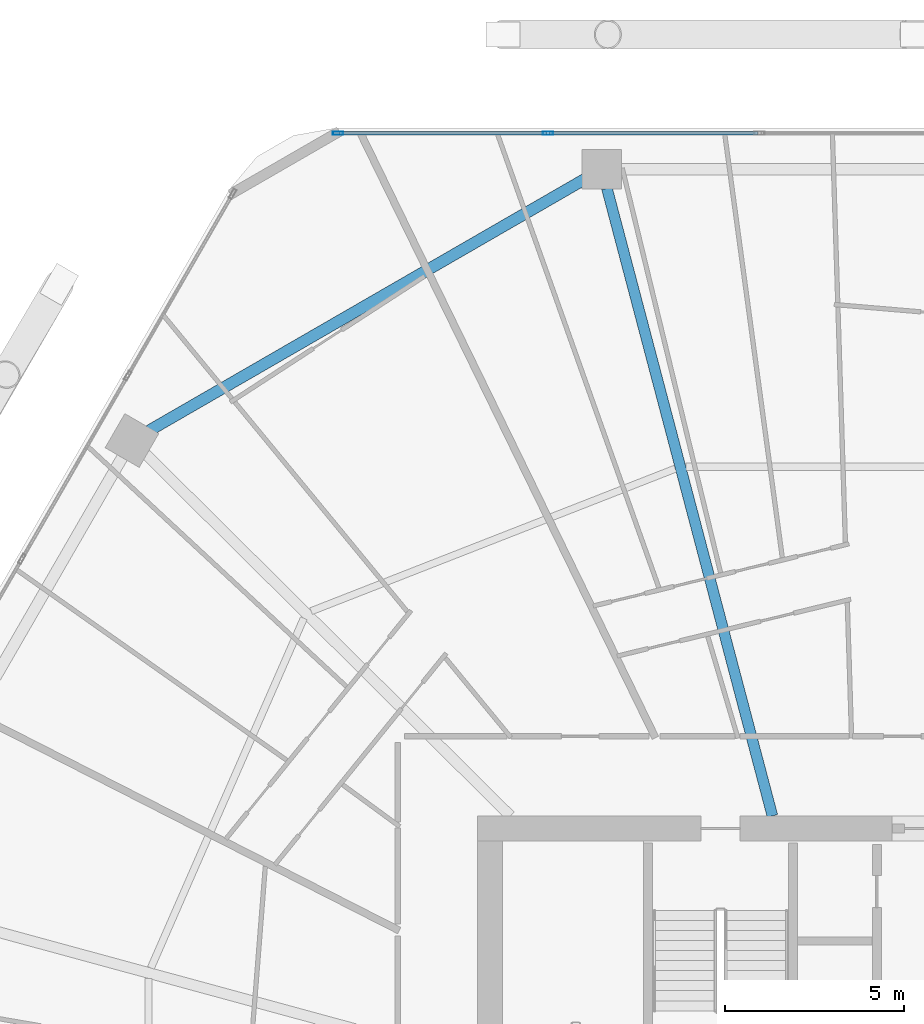
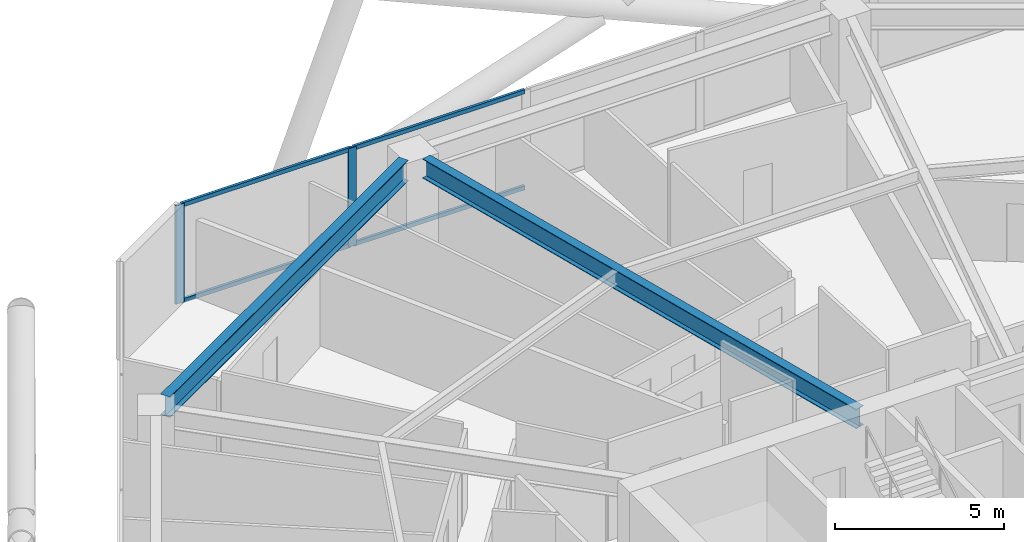
# One storey, part 17 of 35: 6 members, 2 beams, 1 element without a shape of its own.
"""IFC4 building model written with IfcOpenShell, lengths in metres."""

from ifc_helpers import new_model, si_unit, direction, frame, origin, origin_2d, place, context, subcontext, project, spatial, hollow_rectangle, i_section, extrude, material, material_profile, profile_set, type_object, element, aggregate, save


model = new_model("IFC4")

# Units and contexts
model_context = context("Model", 3, precision=1e-05, world=origin(), true_north=direction((0.0, 1.0)))
body_context = subcontext(model_context, "Body", "Model", "MODEL_VIEW")
ifc_project = project(units=[si_unit("LENGTHUNIT", "METRE"), si_unit("AREAUNIT", "SQUARE_METRE"), si_unit("VOLUMEUNIT", "CUBIC_METRE"), si_unit("PLANEANGLEUNIT", "RADIAN"), si_unit("MASSUNIT", "GRAM", prefix="KILO")], contexts=[model_context])

# Site, building, storey
site_placement = place(None, origin())
site = spatial("IfcSite", under=ifc_project, at=site_placement, CompositionType="ELEMENT")
building_placement = place(site_placement, origin())
building = spatial("IfcBuilding", under=site, at=building_placement, Name="Zuhravey Tower", CompositionType="ELEMENT")
storey_placement = place(building_placement, frame((0.0, 0.0, 122.800048828125)))
storey = spatial("IfcBuildingStorey", under=building, at=storey_placement, Name="L30", CompositionType="ELEMENT", Elevation=122.800048828125)

# Curtain wall, members
ifc_material_1 = material(Name="Thermally broken anodised aluminium", Category="aluminium")
curtain_wall_type = type_object("IfcCurtainWallType", Name="Zone 1-2 Residential Curtain Wall CW3", PredefinedType="NOTDEFINED", material=ifc_material_1)
curtain_wall_placement = place(storey_placement, origin())
curtain_wall = element("IfcCurtainWall", 1, at=curtain_wall_placement, inside=storey, type_object=curtain_wall_type, Name="L30 CW3 CW-L30-F2-1", PredefinedType="NOTDEFINED")
ifc_material_2 = material(Name="Anodised aluminium", Category="aluminium")
ifc_material_profile_1 = material_profile(ifc_material_2, hollow_rectangle(XDim=0.090087890625, YDim=0.284912109375, WallThickness=0.0048828125, at=origin_2d()), Name="ALU-RHS-90x285x5")
ifc_profile_set_1 = profile_set([ifc_material_profile_1], Name="Anodised aluminium")
member_type_1 = type_object("IfcMemberType", Name="Curtain-Wall Mullion 90x180", PredefinedType="MULLION", material=ifc_profile_set_1)
member_1_placement = place(storey_placement, frame((21.24560546875, 60.95849609375, 0.0), z_axis=(0.0, 0.0, 1.0), x_axis=(0.0, 1.0, 0.0)))
member_1 = element("IfcMember", 2, at=member_1_placement, type_object=member_type_1, Name="CW3 mullion 1", PredefinedType="MULLION", context=body_context, shape_type="SweptSolid", body=[
    extrude(hollow_rectangle(XDim=0.090087890625, YDim=0.284912109375, WallThickness=0.0048828125, at=origin_2d()), origin(), (0.0, 0.0, 1.0), 3.550048828125),
])
member_2_placement = place(storey_placement, frame((27.120361328125, 60.95849609375, 0.0), z_axis=(0.0, 0.0, 1.0), x_axis=(0.0, 1.0, 0.0)))
member_2 = element("IfcMember", 3, at=member_2_placement, type_object=member_type_1, Name="CW3 mullion 2", PredefinedType="MULLION", context=body_context, shape_type="SweptSolid", body=[
    extrude(hollow_rectangle(XDim=0.090087890625, YDim=0.284912109375, WallThickness=0.0048828125, at=origin_2d()), origin(), (0.0, 0.0, 1.0), 3.550048828125),
])
ifc_material_profile_2 = material_profile(ifc_material_2, hollow_rectangle(XDim=0.090087890625, YDim=0.14990234375, WallThickness=0.0048828125, at=origin_2d()), Name="ALU-RHS-90x150x5")
ifc_profile_set_2 = profile_set([ifc_material_profile_2], Name="Anodised aluminium")
member_type_2 = type_object("IfcMemberType", Name="Curtain-Wall Transom 90x150", PredefinedType="USERDEFINED", material=ifc_profile_set_2)
member_3_placement = place(storey_placement, frame((21.29052734375, 60.95849609375, 0.044921875), z_axis=(1.0, 0.0, 0.0), x_axis=(0.0, 1.0, 0.0)))
member_3 = element("IfcMember", 4, at=member_3_placement, type_object=member_type_2, Name="CW3 transom 1.1", ObjectType="TRANSOM", PredefinedType="USERDEFINED", context=body_context, shape_type="SweptSolid", body=[
    extrude(hollow_rectangle(XDim=0.090087890625, YDim=0.14990234375, WallThickness=0.0048828125, at=origin_2d()), origin(), (0.0, 0.0, 1.0), 5.78466796875),
])
member_4_placement = place(storey_placement, frame((21.29052734375, 60.95849609375, 3.5048828125), z_axis=(1.0, 0.0, 0.0), x_axis=(0.0, 1.0, 0.0)))
member_4 = element("IfcMember", 5, at=member_4_placement, type_object=member_type_2, Name="CW3 transom 1.2", ObjectType="TRANSOM", PredefinedType="USERDEFINED", context=body_context, shape_type="SweptSolid", body=[
    extrude(hollow_rectangle(XDim=0.090087890625, YDim=0.14990234375, WallThickness=0.0048828125, at=origin_2d()), origin(), (0.0, 0.0, 1.0), 5.78466796875),
])
member_5_placement = place(storey_placement, frame((27.165283203125, 60.95849609375, 0.044921875), z_axis=(1.0, 0.0, 0.0), x_axis=(0.0, 1.0, 0.0)))
member_5 = element("IfcMember", 6, at=member_5_placement, type_object=member_type_2, Name="CW3 transom 2.1", ObjectType="TRANSOM", PredefinedType="USERDEFINED", context=body_context, shape_type="SweptSolid", body=[
    extrude(hollow_rectangle(XDim=0.090087890625, YDim=0.14990234375, WallThickness=0.0048828125, at=origin_2d()), origin(), (0.0, 0.0, 1.0), 5.829833984375),
])
member_6_placement = place(storey_placement, frame((27.165283203125, 60.95849609375, 3.5048828125), z_axis=(1.0, 0.0, 0.0), x_axis=(0.0, 1.0, 0.0)))
member_6 = element("IfcMember", 7, at=member_6_placement, type_object=member_type_2, Name="CW3 transom 2.2", ObjectType="TRANSOM", PredefinedType="USERDEFINED", context=body_context, shape_type="SweptSolid", body=[
    extrude(hollow_rectangle(XDim=0.090087890625, YDim=0.14990234375, WallThickness=0.0048828125, at=origin_2d()), origin(), (0.0, 0.0, 1.0), 5.829833984375),
])
aggregate(curtain_wall, [member_1, member_2, member_3, member_4, member_5, member_6])

# Beams
ifc_material_3 = material(Name="Steel SM355", Category="steel")
ifc_material_profile_3 = material_profile(ifc_material_3, i_section(OverallWidth=0.320068359375, OverallDepth=0.75, WebThickness=0.013916015625, FlangeThickness=0.02490234375, at=origin_2d()), Name="H-750x320x14x25")
ifc_profile_set_3 = profile_set([ifc_material_profile_3], Name="Steel SM355")
beam_type_1 = type_object("IfcBeamType", Name="Perimeter Ring Beam H750x320", PredefinedType="BEAM", material=ifc_profile_set_3)
beam_1_placement = place(storey_placement, frame((28.151123046875, 59.672119140625, 3.175048828125), z_axis=(-0.866017786538, -0.500013193225, 0.0), x_axis=(0.500013193225, -0.866017786538, 0.0)))
element("IfcBeam", 8, at=beam_1_placement, inside=storey, type_object=beam_type_1, Name="L30 PB1 BM-L30-PB-04", PredefinedType="BEAM", context=body_context, shape_type="SweptSolid", body=[
    extrude(i_section(OverallWidth=0.320068359375, OverallDepth=0.75, WebThickness=0.013916015625, FlangeThickness=0.02490234375, at=origin_2d()), origin(), (0.0, 0.0, 1.0), 14.0771484375),
])
ifc_material_profile_4 = material_profile(ifc_material_3, i_section(OverallWidth=0.300048828125, OverallDepth=0.699951171875, WebThickness=0.012939453125, FlangeThickness=0.02392578125, at=origin_2d()), Name="H-700x300x13x24")
ifc_profile_set_4 = profile_set([ifc_material_profile_4], Name="Steel SM355")
beam_type_2 = type_object("IfcBeamType", Name="Radial Primary Girder H700x300", PredefinedType="BEAM", material=ifc_profile_set_4)
beam_2_placement = place(storey_placement, frame((33.40185546875, 41.85302734375, 3.199951171875), z_axis=(-0.25498755891, 0.966944333869, 0.0), x_axis=(-0.966944333869, -0.25498755891, 0.0)))
element("IfcBeam", 9, at=beam_2_placement, inside=storey, type_object=beam_type_2, Name="L30 RG1 BM-L30-RAD-04", PredefinedType="BEAM", context=body_context, shape_type="SweptSolid", body=[
    extrude(i_section(OverallWidth=0.300048828125, OverallDepth=0.699951171875, WebThickness=0.012939453125, FlangeThickness=0.02392578125, at=origin_2d()), origin(), (0.0, 0.0, 1.0), 18.1611328125),
])

save(model, "model.ifc")
